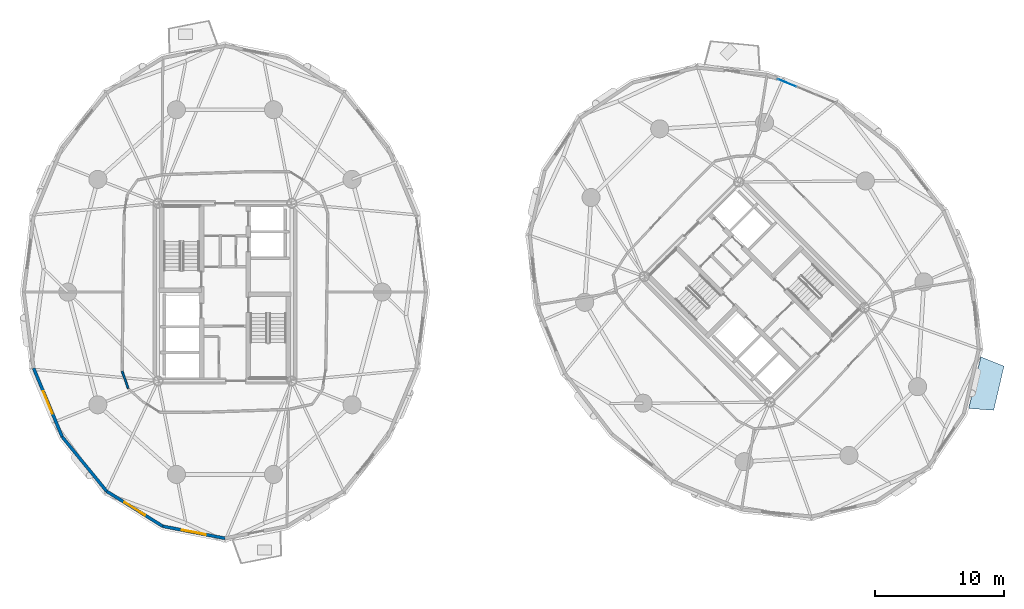
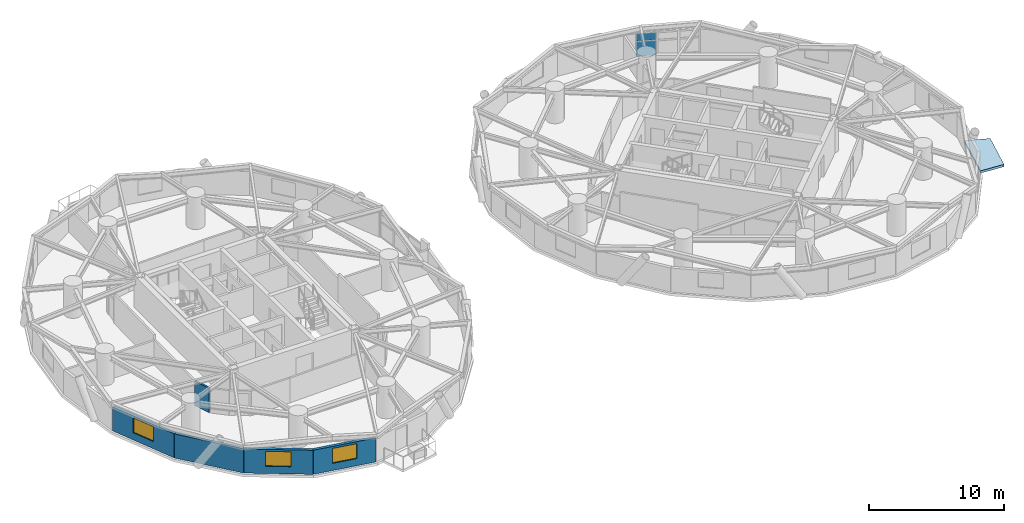
# One storey, part 8 of 17: 5 walls, 3 windows, 2 plates, 1 slab, 3 openings, 1 element without a shape of its own.
"""IFC4 building model written with IfcOpenShell, lengths in metres."""

from ifc_helpers import new_model, si_unit, direction, frame, frame_2d, origin, origin_2d, place, context, subcontext, project, spatial, polyline, rectangle, outline, extrude, source, transform, mapped, material, layer, layer_set, type_object, element, fill, aggregate, save


model = new_model("IFC4")

# Units and contexts
model_context = context("Model", 3, precision=1e-05, world=origin(), true_north=direction((0.0, 1.0)))
body_context = subcontext(model_context, "Body", "Model", "MODEL_VIEW")
ifc_project = project(units=[si_unit("LENGTHUNIT", "METRE"), si_unit("AREAUNIT", "SQUARE_METRE"), si_unit("VOLUMEUNIT", "CUBIC_METRE"), si_unit("PLANEANGLEUNIT", "RADIAN"), si_unit("MASSUNIT", "GRAM", prefix="KILO")], contexts=[model_context])

# Site, building, storey
site_placement = place(None, origin())
site = spatial("IfcSite", under=ifc_project, at=site_placement, CompositionType="ELEMENT")
building_placement = place(site_placement, origin())
building = spatial("IfcBuilding", under=site, at=building_placement, Name="Cununo Teusaquillo Station Towers", CompositionType="ELEMENT")
storey_placement = place(building_placement, frame((0.0, 0.0, 70.14990234375)))
storey = spatial("IfcBuildingStorey", under=building, at=storey_placement, Name="L21", CompositionType="ELEMENT", Elevation=70.14990234375)

# Slab
ifc_material_1 = material(Name="Concrete C50/60", Category="concrete")
ifc_layer_1 = layer(ifc_material_1, 0.2099609375)
ifc_layer_set_1 = layer_set([ifc_layer_1], Name="Concrete C50/60")
slab_type = type_object("IfcSlabType", Name="SLB-BAL-210", PredefinedType="FLOOR", material=ifc_layer_set_1)
slab_placement = place(storey_placement, frame((0.0, 0.0, -0.2099609375)))
element("IfcSlab", 1, at=slab_placement, inside=storey, type_object=slab_type, Name="L21 Tower B Tree Balcony Slab 2", PredefinedType="FLOOR", context=body_context, shape_type="SweptSolid", body=[
    extrude(outline(polyline([(74.1083984375, 15.4873046875), (75.04150390625, 19.486083984375), (76.83837890625, 18.7587890625), (76.04150390625, 15.344482421875), (74.1083984375, 15.4873046875)])), origin(), (0.0, 0.0, 1.0), 0.2099609375),
])

# Curtain wall, plates
ifc_material_2 = material(Name="Ceramic-fritted dark low-E double glazing", Category="glass")
ifc_layer_2 = layer(ifc_material_2, 0.179931640625)
ifc_layer_set_2 = layer_set([ifc_layer_2], Name="Ceramic-fritted dark low-E double glazing")
curtain_wall_type = type_object("IfcCurtainWallType", Name="CW-SYS-04", PredefinedType="USERDEFINED", material=ifc_layer_set_2)
curtain_wall_placement = place(storey_placement, origin())
curtain_wall = element("IfcCurtainWall", 2, at=curtain_wall_placement, inside=storey, type_object=curtain_wall_type, Name="L21 Tower B Facade Curtain Wall C01", ObjectType="FRITTED GLAZING", PredefinedType="USERDEFINED")
ifc_material_3 = material(Name="Ceramic-fritted dark low-E double glazing", Category="glass")
ifc_layer_3 = layer(ifc_material_3, 0.028076171875)
ifc_layer_set_3 = layer_set([ifc_layer_3], Name="Ceramic-fritted dark low-E double glazing")
plate_type = type_object("IfcPlateType", Name="CWP-FRIT-28", PredefinedType="CURTAIN_PANEL", material=ifc_layer_set_3)
shared_shape_1 = source(origin(), body_context, "Body", "SweptSolid", [
    extrude(rectangle(XDim=1.531005859375, YDim=0.028076171875, at=origin_2d()), origin(), (0.0, 0.0, 1.0), 1.31103515625),
])
plate_1_placement = place(storey_placement, frame((60.045654296875, 40.697021484375, 0.070068359375), z_axis=(0.0, 0.0, 1.0), x_axis=(0.924562443652, -0.381030560176, 0.0)))
plate_1 = element("IfcPlate", 3, at=plate_1_placement, type_object=plate_type, Name="CW-04 panel 1.1", PredefinedType="CURTAIN_PANEL", context=body_context, shape_type="MappedRepresentation", body=[
    mapped(shared_shape_1, transform((0.0, 0.0, 0.0), x_axis=(1.0, 0.0, 0.0), y_axis=(0.0, 1.0, 0.0), z_axis=(0.0, 0.0, 1.0), scale=1.0)),
])
shared_shape_2 = source(origin(), body_context, "Body", "SweptSolid", [
    extrude(rectangle(XDim=1.531005859375, YDim=0.028076171875, at=origin_2d()), origin(), (0.0, 0.0, 1.0), 0.657958984375),
])
plate_2_placement = place(storey_placement, frame((60.045654296875, 40.697021484375, 1.451171875), z_axis=(0.0, 0.0, 1.0), x_axis=(0.924562443652, -0.381030560176, 0.0)))
plate_2 = element("IfcPlate", 4, at=plate_2_placement, type_object=plate_type, Name="CW-04 panel 1.2", PredefinedType="CURTAIN_PANEL", context=body_context, shape_type="MappedRepresentation", body=[
    mapped(shared_shape_2, transform((0.0, 0.0, 0.0), x_axis=(1.0, 0.0, 0.0), y_axis=(0.0, 1.0, 0.0), z_axis=(0.0, 0.0, 1.0), scale=1.0)),
])
aggregate(curtain_wall, [plate_1, plate_2])

# Wall, opening, window
ifc_material_4 = material(Name="Precast concrete C40/50", Category="concrete")
ifc_layer_4 = layer(ifc_material_4, 0.239990234375)
ifc_layer_set_4 = layer_set([ifc_layer_4], Name="Precast concrete C40/50")
wall_type_1 = type_object("IfcWallType", Name="WL-EXT-240", PredefinedType="SOLIDWALL", material=ifc_layer_set_4)
wall_1_placement = place(storey_placement, frame((3.894775390625, 13.291015625, 0.0), z_axis=(0.0, 0.0, 1.0), x_axis=(-0.384344417632, 0.923189779317, 0.0)))
wall_1 = element("IfcWall", 5, at=wall_1_placement, inside=storey, type_object=wall_type_1, Name="L21 Tower A Exterior Facade Wall C11", PredefinedType="SOLIDWALL", context=body_context, shape_type="SweptSolid", body=[
    extrude(rectangle(XDim=5.75830078125, YDim=0.239990234375, at=frame_2d((2.879150390625, 0.0))), origin(), (0.0, 0.0, 1.0), 2.17919921875),
])
shared_shape_3 = source(origin(), body_context, "Body", "SweptSolid", [
    extrude(rectangle(XDim=1.89990234375, YDim=1.35009765625, at=frame_2d((0.949951171875, 0.675048828125))), frame((0.0, 0.1298828125, 0.0), z_axis=(0.0, -1.0, 0.0), x_axis=(1.0, 0.0, 0.0)), (0.0, 0.0, 1.0), 0.260009765625),
])
opening_1_placement = place(wall_1_placement, frame((1.928955078125, 0.0, 0.64990234375)))
opening_1 = element("IfcOpeningElement", 6, at=opening_1_placement, cuts=wall_1, Name="Opening WN-02", PredefinedType="OPENING", context=body_context, shape_type="MappedRepresentation", body=[
    mapped(shared_shape_3, transform((0.0, 0.0, 0.0), x_axis=(1.0, 0.0, 0.0), y_axis=(0.0, 1.0, 0.0), z_axis=(0.0, 0.0, 1.0), scale=1.0)),
])
ifc_material_5 = material(Name="Operable acoustic tinted low-E double glazing", Category="glass")
window_type = type_object("IfcWindowType", Name="WIN-OPER-1900", PartitioningType="DOUBLE_PANEL_VERTICAL", PredefinedType="WINDOW", material=ifc_material_5)
shared_shape_4 = source(origin(), body_context, "Body", "SweptSolid", [
    extrude(rectangle(XDim=1.89990234375, YDim=1.35009765625, at=frame_2d((0.949951171875, 0.675048828125))), frame((0.0, 0.030029296875, 0.0), z_axis=(0.0, -1.0, 0.0), x_axis=(1.0, 0.0, 0.0)), (0.0, 0.0, 1.0), 0.06005859375),
])
window_1_placement = place(opening_1_placement, origin())
window_1 = element("IfcWindow", 7, at=window_1_placement, inside=storey, type_object=window_type, Name="L21 Tower A Facade Window C11", OverallHeight=1.35009765625, OverallWidth=1.89990234375, PartitioningType="DOUBLE_PANEL_VERTICAL", PredefinedType="WINDOW", context=body_context, shape_type="MappedRepresentation", body=[
    mapped(shared_shape_4, transform((0.0, 0.0, 0.0), x_axis=(1.0, 0.0, 0.0), y_axis=(0.0, 1.0, 0.0), z_axis=(0.0, 0.0, 1.0), scale=1.0)),
])
fill(opening_1, window_1)

# Wall
wall_2_placement = place(storey_placement, frame((7.341796875, 9.072021484375, 0.0), z_axis=(0.0, 0.0, 1.0), x_axis=(-0.632700781152, 0.77439635945, 0.0)))
element("IfcWall", 8, at=wall_2_placement, inside=storey, type_object=wall_type_1, Name="L21 Tower A Exterior Facade Wall C12", PredefinedType="SOLIDWALL", context=body_context, shape_type="SweptSolid", body=[
    extrude(rectangle(XDim=5.447998046875, YDim=0.239990234375, at=frame_2d((2.72412109375, 0.0))), origin(), (0.0, 0.0, 1.0), 2.17919921875),
])

# Wall, opening, window
wall_3_placement = place(storey_placement, frame((11.685302734375, 6.36328125, 0.0), z_axis=(0.0, 0.0, 1.0), x_axis=(-0.848520380187, 0.529162701263, 0.0)))
wall_3 = element("IfcWall", 9, at=wall_3_placement, inside=storey, type_object=wall_type_1, Name="L21 Tower A Exterior Facade Wall C13", PredefinedType="SOLIDWALL", context=body_context, shape_type="SweptSolid", body=[
    extrude(rectangle(XDim=5.118896484375, YDim=0.239990234375, at=frame_2d((2.5595703125, 0.0))), origin(), (0.0, 0.0, 1.0), 2.17919921875),
])
opening_2_placement = place(wall_3_placement, frame((1.60888671875, 0.0, 0.64990234375)))
opening_2 = element("IfcOpeningElement", 10, at=opening_2_placement, cuts=wall_3, Name="Opening WN-02", PredefinedType="OPENING", context=body_context, shape_type="MappedRepresentation", body=[
    mapped(shared_shape_3, transform((0.0, 0.0, 0.0), x_axis=(1.0, 0.0, 0.0), y_axis=(0.0, 1.0, 0.0), z_axis=(0.0, 0.0, 1.0), scale=1.0)),
])
window_2_placement = place(opening_2_placement, origin())
window_2 = element("IfcWindow", 11, at=window_2_placement, inside=storey, type_object=window_type, Name="L21 Tower A Facade Window C13", OverallHeight=1.35009765625, OverallWidth=1.89990234375, PartitioningType="DOUBLE_PANEL_VERTICAL", PredefinedType="WINDOW", context=body_context, shape_type="MappedRepresentation", body=[
    mapped(shared_shape_4, transform((0.0, 0.0, 0.0), x_axis=(1.0, 0.0, 0.0), y_axis=(0.0, 1.0, 0.0), z_axis=(0.0, 0.0, 1.0), scale=1.0)),
])
fill(opening_2, window_2)

wall_4_placement = place(storey_placement, frame((16.5, 5.429931640625, 0.0), z_axis=(0.0, 0.0, 1.0), x_axis=(-0.981723785992, 0.190311344954, 0.0)))
wall_4 = element("IfcWall", 12, at=wall_4_placement, inside=storey, type_object=wall_type_1, Name="L21 Tower A Exterior Facade Wall C14", PredefinedType="SOLIDWALL", context=body_context, shape_type="SweptSolid", body=[
    extrude(rectangle(XDim=4.904296875, YDim=0.239990234375, at=frame_2d((2.4521484375, 0.0))), origin(), (0.0, 0.0, 1.0), 2.17919921875),
])
opening_3_placement = place(wall_4_placement, frame((1.501953125, 0.0, 0.64990234375)))
opening_3 = element("IfcOpeningElement", 13, at=opening_3_placement, cuts=wall_4, Name="Opening WN-02", PredefinedType="OPENING", context=body_context, shape_type="MappedRepresentation", body=[
    mapped(shared_shape_3, transform((0.0, 0.0, 0.0), x_axis=(1.0, 0.0, 0.0), y_axis=(0.0, 1.0, 0.0), z_axis=(0.0, 0.0, 1.0), scale=1.0)),
])
window_3_placement = place(opening_3_placement, origin())
window_3 = element("IfcWindow", 14, at=window_3_placement, inside=storey, type_object=window_type, Name="L21 Tower A Facade Window C14", OverallHeight=1.35009765625, OverallWidth=1.89990234375, PartitioningType="DOUBLE_PANEL_VERTICAL", PredefinedType="WINDOW", context=body_context, shape_type="MappedRepresentation", body=[
    mapped(shared_shape_4, transform((0.0, 0.0, 0.0), x_axis=(1.0, 0.0, 0.0), y_axis=(0.0, 1.0, 0.0), z_axis=(0.0, 0.0, 1.0), scale=1.0)),
])
fill(opening_3, window_3)

# Wall
ifc_material_6 = material(Name="Fire-rated gypsum plasterboard partition assembly", Category="gypsum")
ifc_layer_5 = layer(ifc_material_6, 0.14990234375)
ifc_layer_set_5 = layer_set([ifc_layer_5], Name="Fire-rated gypsum plasterboard partition assembly")
wall_type_2 = type_object("IfcWallType", Name="WL-PART-150", PredefinedType="PARTITIONING", material=ifc_layer_set_5)
wall_5_placement = place(storey_placement, frame((8.538330078125, 18.37060546875, 0.0), z_axis=(0.0, 0.0, 1.0), x_axis=(0.3330273821, -0.942917155837, 0.0)))
element("IfcWall", 15, at=wall_5_placement, inside=storey, type_object=wall_type_2, Name="L21 Tower A Corridor Ring Wall C11", PredefinedType="PARTITIONING", context=body_context, shape_type="SweptSolid", body=[
    extrude(rectangle(XDim=1.4169921875, YDim=0.14990234375, at=frame_2d((0.70849609375, 0.0))), origin(), (0.0, 0.0, 1.0), 2.22509765625),
])

save(model, "model.ifc")
